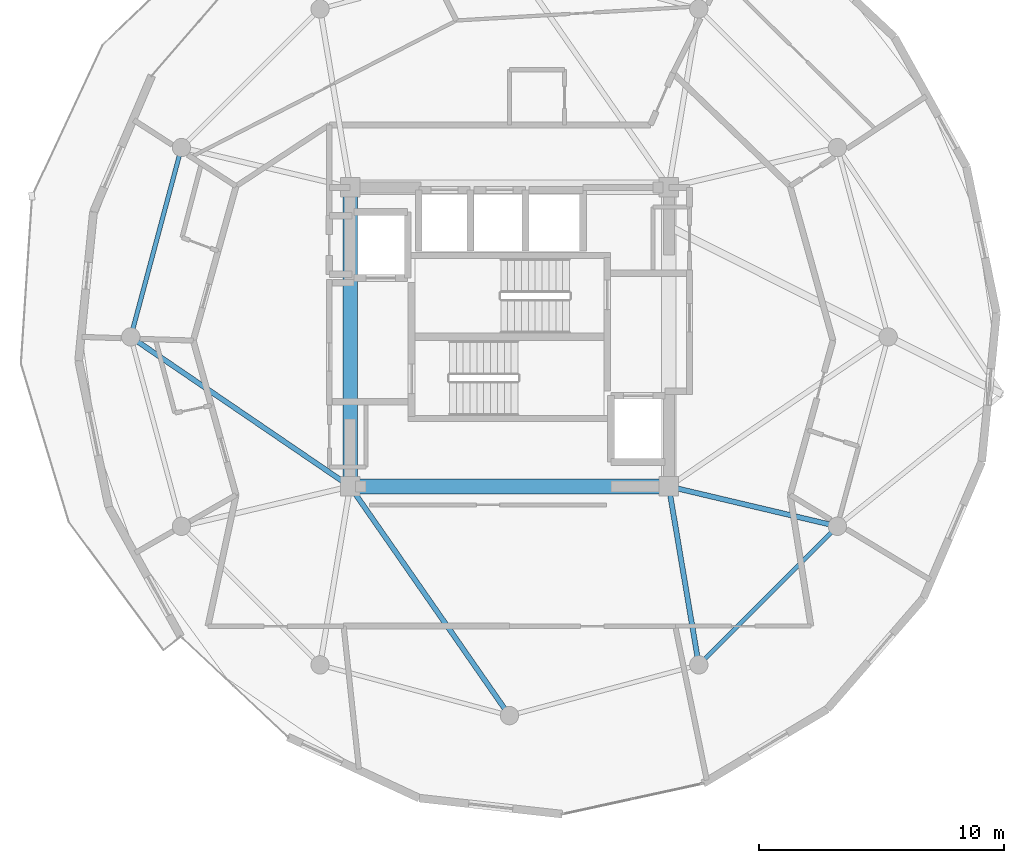
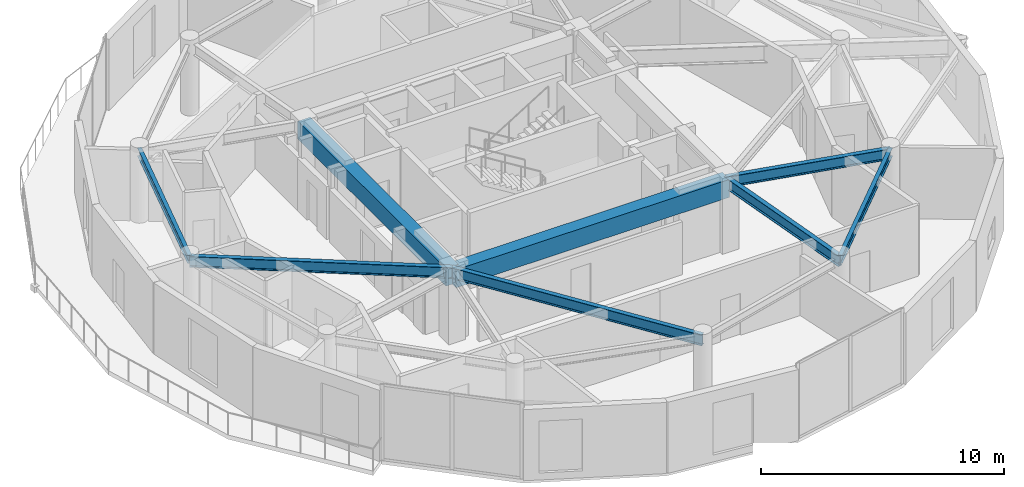
# One storey, part 5 of 15: 8 beams.
"""IFC4 building model written with IfcOpenShell, lengths in metres."""

import ifcopenshell
import ifcopenshell.guid

model = None  # the IFC model being written
_history = None  # IfcOwnerHistory: only IFC2X3 demands one
_inside = {}  # id of a spatial element -> (the spatial element, [elements in it])
_under = {}  # id of a project, library or spatial element -> (it, [spatial elements below it])
_declared = {}  # id of a project -> (the project, [libraries it declares])
_typed = {}  # id of a type object -> (the type object, [elements of that type])
_made_of = {}  # id of a material, layer set ... -> (it, [elements and type objects made of it])


def new_model(schema):
    """Start an empty IFC model of exactly this schema.

    Asked for "IFC4X3", IfcOpenShell would pick the latest addendum, in which some entities
    have other attributes; the version numbers below select the first issue.
    IFC2X3 requires an IfcOwnerHistory on every rooted entity: one is made here for all.
    """
    global model, _history
    if schema == "IFC4X3":
        model = ifcopenshell.file(schema_version=(4, 3, 0, 0))
    else:
        model = ifcopenshell.file(schema=schema)
    _inside.clear()
    _under.clear()
    _declared.clear()
    _typed.clear()
    _made_of.clear()
    _history = None
    if model.schema == "IFC2X3":
        org = make("IfcOrganization", Name="unknown")
        user = make(
            "IfcPersonAndOrganization",
            ThePerson=make("IfcPerson", FamilyName="unknown"),
            TheOrganization=org,
        )
        app = make(
            "IfcApplication",
            ApplicationDeveloper=org,
            Version="unknown",
            ApplicationFullName="unknown",
            ApplicationIdentifier="unknown",
        )
        _history = make(
            "IfcOwnerHistory",
            OwningUser=user,
            OwningApplication=app,
            ChangeAction="ADDED",
            CreationDate=0,
        )
    return model


def make(cls, **values):
    """One entity of the class cls with the attributes given. An attribute that is None is left unset."""
    return model.create_entity(
        cls, **{name: value for name, value in values.items() if value is not None}
    )


def rooted(cls, **values):
    """An entity with a GlobalId (a new one), such as an element, a storey or a relation."""
    return make(cls, GlobalId=ifcopenshell.guid.new(), OwnerHistory=_history, **values)


def si_unit(unit_type, name, prefix=None):
    """IfcSIUnit, for example si_unit("LENGTHUNIT", "METRE", prefix="MILLI")."""
    return make("IfcSIUnit", UnitType=unit_type, Prefix=prefix, Name=name)


def assignment(units):
    """IfcUnitAssignment: the units of a project."""
    return None if units is None else make("IfcUnitAssignment", Units=units)


def point(xyz):
    """IfcCartesianPoint."""
    return None if xyz is None else make("IfcCartesianPoint", Coordinates=xyz)


def direction(xyz):
    """IfcDirection."""
    return None if xyz is None else make("IfcDirection", DirectionRatios=xyz)


def frame(location, z_axis=None, x_axis=None):
    """IfcAxis2Placement3D, a coordinate frame: its origin and axes. An axis left out is left unset."""
    return make(
        "IfcAxis2Placement3D",
        Location=point(location),
        Axis=direction(z_axis),
        RefDirection=direction(x_axis),
    )


def frame_2d(location, x_axis=None):
    """IfcAxis2Placement2D, a coordinate frame in the plane: its origin and x axis."""
    return make(
        "IfcAxis2Placement2D", Location=point(location), RefDirection=direction(x_axis)
    )


def origin():
    """The frame at (0, 0, 0) with its axes left unset."""
    return frame((0.0, 0.0, 0.0))


def origin_2d():
    """The frame at (0, 0) in the plane with its x axis left unset."""
    return frame_2d((0.0, 0.0))


def place(relative_to, where):
    """IfcLocalPlacement: puts the frame where relative to a parent placement (None: the world)."""
    return make(
        "IfcLocalPlacement", PlacementRelTo=relative_to, RelativePlacement=where
    )


def context(
    kind, dimensions, precision=None, world=None, true_north=None, identifier=None
):
    """IfcGeometricRepresentationContext, for example the 3D "Model" context."""
    return make(
        "IfcGeometricRepresentationContext",
        ContextIdentifier=identifier,
        ContextType=kind,
        CoordinateSpaceDimension=dimensions,
        Precision=precision,
        WorldCoordinateSystem=world,
        TrueNorth=true_north,
    )


def subcontext(parent, identifier, kind, view, scale=None):
    """IfcGeometricRepresentationSubContext, for example "Body" below "Model"."""
    return make(
        "IfcGeometricRepresentationSubContext",
        ContextIdentifier=identifier,
        ContextType=kind,
        ParentContext=parent,
        TargetScale=scale,
        TargetView=view,
    )


def project(units=None, contexts=None):
    """IfcProject with its units and contexts."""
    return rooted(
        "IfcProject",
        Name="project",
        RepresentationContexts=contexts,
        UnitsInContext=assignment(units),
    )


def spatial(cls, under=None, at=None, **own):
    """A site, building, storey or space (cls), placed at a placement, below another one or the project."""
    s = rooted(cls, ObjectPlacement=at, **own)
    if under is not None:
        _under.setdefault(under.id(), (under, []))[1].append(s)
    return s


def profile(cls, at=None, kind="AREA", **sizes):
    """A parametric profile (cls). Its sizes go by their IFC names, for example OverallWidth=200.0."""
    return make(cls, ProfileType=kind, Position=at, **sizes)


def rectangle(**sizes):
    """IfcRectangleProfileDef."""
    return profile("IfcRectangleProfileDef", **sizes)


def i_section(**sizes):
    """IfcIShapeProfileDef."""
    return profile("IfcIShapeProfileDef", **sizes)


def extrude(swept, where, along, depth):
    """IfcExtrudedAreaSolid: the profile swept, set in the frame where, extruded along a direction by depth."""
    return make(
        "IfcExtrudedAreaSolid",
        SweptArea=swept,
        Position=where,
        ExtrudedDirection=direction(along),
        Depth=depth,
    )


def shape(context_of_items, identifier, shape_type, items):
    """IfcShapeRepresentation: the items that make up one representation, for example the "Body"."""
    return make(
        "IfcShapeRepresentation",
        ContextOfItems=context_of_items,
        RepresentationIdentifier=identifier,
        RepresentationType=shape_type,
        Items=items,
    )


def material(Name=None, Category=None):
    """IfcMaterial."""
    return make("IfcMaterial", Name=Name, Category=Category)


def material_profile(
    of_material, cross_section, Name=None, Category=None, Priority=None
):
    """IfcMaterialProfile: a cross section and its material."""
    return make(
        "IfcMaterialProfile",
        Name=Name,
        Material=of_material,
        Profile=cross_section,
        Priority=Priority,
        Category=Category,
    )


def profile_set(profiles, Name=None, composite=None):
    """IfcMaterialProfileSet."""
    return make(
        "IfcMaterialProfileSet",
        Name=Name,
        MaterialProfiles=profiles,
        CompositeProfile=composite,
    )


def made_of(thing, what):
    """Note that an element or type object is made of a material, layer set ...; save() writes the relation."""
    if what is not None:
        _made_of.setdefault(what.id(), (what, []))[1].append(thing)
    return thing


def type_object(cls, material=None, **own):
    """A type object (cls), such as IfcWallType, which elements share."""
    return made_of(rooted(cls, **own), material)


def element(
    cls,
    number,
    at=None,
    inside=None,
    cuts=None,
    type_object=None,
    material=None,
    context=None,
    identifier="Body",
    shape_type=None,
    held_by="IfcProductDefinitionShape",
    body=None,
    shapes=None,
    **own,
):
    """One element of the class cls, such as IfcWall. Its Tag is "e" and its number.

    at: its placement. inside: the storey or other place that contains it. cuts: it is an
    opening in that element (IfcRelVoidsElement). A single representation is given by context,
    identifier, shape_type and body (its items); several are given by shapes. held_by: the class
    of the entity that holds the representations. save() writes the other relations.
    """
    e = rooted(cls, Tag="e%d" % number, ObjectPlacement=at, **own)
    if body is not None:
        shapes = [shape(context, identifier, shape_type, body)]
    if shapes is not None:
        e.Representation = make(held_by, Representations=shapes)
    if inside is not None:
        _inside.setdefault(inside.id(), (inside, []))[1].append(e)
    if cuts is not None:
        rooted(
            "IfcRelVoidsElement", RelatingBuildingElement=cuts, RelatedOpeningElement=e
        )
    if type_object is not None:
        _typed.setdefault(type_object.id(), (type_object, []))[1].append(e)
    return made_of(e, material)


def aggregate(whole, parts):
    """IfcRelAggregates: a whole, such as a stair, and the parts it consists of."""
    return rooted("IfcRelAggregates", RelatingObject=whole, RelatedObjects=parts)


def save(model, path):
    """Write the relations noted so far, then the file.

    IfcRelAggregates (storeys below a building ...), IfcRelContainedInSpatialStructure (elements
    in a storey), IfcRelDefinesByType, IfcRelAssociatesMaterial and IfcRelDeclares: one each for
    every whole, place, type object, material and project.
    """
    for whole, parts in _under.values():
        aggregate(whole, parts)
    for where, things in _inside.values():
        rooted(
            "IfcRelContainedInSpatialStructure",
            RelatedElements=things,
            RelatingStructure=where,
        )
    for kind, things in _typed.values():
        rooted("IfcRelDefinesByType", RelatedObjects=things, RelatingType=kind)
    for what, things in _made_of.values():
        rooted("IfcRelAssociatesMaterial", RelatedObjects=things, RelatingMaterial=what)
    for by, libraries in _declared.values():
        rooted("IfcRelDeclares", RelatingContext=by, RelatedDefinitions=libraries)
    model.write(path)


model = new_model("IFC4")

# Units and contexts
model_context = context("Model", 3, precision=1e-05, world=origin(), true_north=direction((0.0, 1.0)))
body_context = subcontext(model_context, "Body", "Model", "MODEL_VIEW")
ifc_project = project(units=[si_unit("LENGTHUNIT", "METRE"), si_unit("AREAUNIT", "SQUARE_METRE"), si_unit("VOLUMEUNIT", "CUBIC_METRE"), si_unit("PLANEANGLEUNIT", "RADIAN"), si_unit("MASSUNIT", "GRAM", prefix="KILO")], contexts=[model_context])

# Site, building, storey
site_placement = place(None, origin())
site = spatial("IfcSite", under=ifc_project, at=site_placement, CompositionType="ELEMENT")
building_placement = place(site_placement, origin())
building = spatial("IfcBuilding", under=site, at=building_placement, Name="Solvirekh Grand Hotel", CompositionType="ELEMENT")
storey_placement = place(building_placement, frame((0.0, 0.0, 270.60009765625)))
storey = spatial("IfcBuildingStorey", under=building, at=storey_placement, Name="L70", CompositionType="ELEMENT", Elevation=270.60009765625)

# Beams
ifc_material_1 = material(Name="Concrete C50/60", Category="concrete")
ifc_material_profile_1 = material_profile(ifc_material_1, rectangle(XDim=0.60009765625, YDim=0.89990234375, at=origin_2d()), Name="RC BEAM 600X900")
ifc_profile_set_1 = profile_set([ifc_material_profile_1], Name="Concrete C50/60")
beam_type_1 = type_object("IfcBeamType", Name="Beam_Core_RC900", PredefinedType="BEAM", material=ifc_profile_set_1)
beam_1_placement = place(storey_placement, frame((-6.5, -6.10009765625, 3.119873046875), z_axis=(1.0, 0.0, 0.0), x_axis=(0.0, 1.0, 0.0)))
element("IfcBeam", 1, at=beam_1_placement, inside=storey, type_object=beam_type_1, Name="L70 core coupling ring beam 1", PredefinedType="BEAM", context=body_context, shape_type="SweptSolid", body=[
    extrude(rectangle(XDim=0.60009765625, YDim=0.89990234375, at=origin_2d()), origin(), (0.0, 0.0, 1.0), 13.0),
])
beam_2_placement = place(storey_placement, frame((-6.5, 6.10009765625, 3.119873046875), z_axis=(0.0, -1.0, 0.0), x_axis=(1.0, 0.0, 0.0)))
element("IfcBeam", 2, at=beam_2_placement, inside=storey, type_object=beam_type_1, Name="L70 core coupling ring beam 4", PredefinedType="BEAM", context=body_context, shape_type="SweptSolid", body=[
    extrude(rectangle(XDim=0.60009765625, YDim=0.89990234375, at=origin_2d()), origin(), (0.0, 0.0, 1.0), 12.2001953125),
])
ifc_material_2 = material(Name="Steel S355", Category="steel")
ifc_material_profile_2 = material_profile(ifc_material_2, i_section(OverallWidth=0.2119140625, OverallDepth=0.5439453125, WebThickness=0.011962890625, FlangeThickness=0.01904296875, FilletRadius=0.013916015625, at=origin_2d()), Name="W530X123")
ifc_profile_set_2 = profile_set([ifc_material_profile_2], Name="Steel S355")
beam_type_2 = type_object("IfcBeamType", Name="Beam_Radial_W530H", PredefinedType="BEAM", material=ifc_profile_set_2)
beam_3_placement = place(storey_placement, frame((-6.5, -6.10009765625, 3.2978515625), z_axis=(-0.826319370306, 0.563201827285, 0.0), x_axis=(-0.563201827285, -0.826319370306, 0.0)))
element("IfcBeam", 3, at=beam_3_placement, inside=storey, type_object=beam_type_2, Name="L70 radial floor beam R07", PredefinedType="BEAM", context=body_context, shape_type="SweptSolid", body=[
    extrude(i_section(OverallWidth=0.2119140625, OverallDepth=0.5439453125, WebThickness=0.011962890625, FlangeThickness=0.01904296875, FilletRadius=0.013916015625, at=origin_2d()), origin(), (0.0, 0.0, 1.0), 10.8310546875),
])
beam_4_placement = place(storey_placement, frame((-6.5, -6.10009765625, 3.2978515625), z_axis=(0.570813192472, -0.821079959139, 0.0), x_axis=(0.821079959139, 0.570813192472, 0.0)))
element("IfcBeam", 4, at=beam_4_placement, inside=storey, type_object=beam_type_2, Name="L70 radial floor beam R10", PredefinedType="BEAM", context=body_context, shape_type="SweptSolid", body=[
    extrude(i_section(OverallWidth=0.2119140625, OverallDepth=0.5439453125, WebThickness=0.011962890625, FlangeThickness=0.01904296875, FilletRadius=0.013916015625, at=origin_2d()), origin(), (0.0, 0.0, 1.0), 11.38720703125),
])
beam_5_placement = place(storey_placement, frame((6.5, -6.10009765625, 3.2978515625), z_axis=(0.165954049106, -0.986133486697, 0.0), x_axis=(0.986133486697, 0.165954049106, 0.0)))
element("IfcBeam", 5, at=beam_5_placement, inside=storey, type_object=beam_type_2, Name="L70 radial floor beam R11", PredefinedType="BEAM", context=body_context, shape_type="SweptSolid", body=[
    extrude(i_section(OverallWidth=0.2119140625, OverallDepth=0.5439453125, WebThickness=0.011962890625, FlangeThickness=0.01904296875, FilletRadius=0.013916015625, at=origin_2d()), origin(), (0.0, 0.0, 1.0), 7.382080078125),
])
beam_6_placement = place(storey_placement, frame((6.5, -6.10009765625, 3.2978515625), z_axis=(0.973221147544, -0.229870828888, 0.0), x_axis=(0.229870828888, 0.973221147544, 0.0)))
element("IfcBeam", 6, at=beam_6_placement, inside=storey, type_object=beam_type_2, Name="L70 radial floor beam R12", PredefinedType="BEAM", context=body_context, shape_type="SweptSolid", body=[
    extrude(i_section(OverallWidth=0.2119140625, OverallDepth=0.5439453125, WebThickness=0.011962890625, FlangeThickness=0.01904296875, FilletRadius=0.013916015625, at=origin_2d()), origin(), (0.0, 0.0, 1.0), 7.069091796875),
])
ifc_material_profile_3 = material_profile(ifc_material_2, i_section(OverallWidth=0.180908203125, OverallDepth=0.4169921875, WebThickness=0.010009765625, FlangeThickness=0.01611328125, FilletRadius=0.011962890625, at=origin_2d()), Name="W410X85")
ifc_profile_set_3 = profile_set([ifc_material_profile_3], Name="Steel S355")
beam_type_3 = type_object("IfcBeamType", Name="Spandrel_Ring_W410", PredefinedType="SPANDREL", material=ifc_profile_set_3)
beam_7_placement = place(storey_placement, frame((-13.3798828125, 7.72509765625, 3.36181640625), z_axis=(-0.258834757072, -0.965921616143, 0.0), x_axis=(0.965921616143, -0.258834757072, 0.0)))
element("IfcBeam", 7, at=beam_7_placement, inside=storey, type_object=beam_type_3, Name="L70 perimeter spandrel beam 6", PredefinedType="SPANDREL", context=body_context, shape_type="SweptSolid", body=[
    extrude(i_section(OverallWidth=0.180908203125, OverallDepth=0.4169921875, WebThickness=0.010009765625, FlangeThickness=0.01611328125, FilletRadius=0.011962890625, at=origin_2d()), origin(), (0.0, 0.0, 1.0), 7.99755859375),
])
beam_8_placement = place(storey_placement, frame((7.72509765625, -13.3798828125, 3.36181640625), z_axis=(0.707106781187, 0.707106781187, 0.0), x_axis=(-0.707106781187, 0.707106781187, 0.0)))
element("IfcBeam", 8, at=beam_8_placement, inside=storey, type_object=beam_type_3, Name="L70 perimeter spandrel beam 11", PredefinedType="SPANDREL", context=body_context, shape_type="SweptSolid", body=[
    extrude(i_section(OverallWidth=0.180908203125, OverallDepth=0.4169921875, WebThickness=0.010009765625, FlangeThickness=0.01611328125, FilletRadius=0.011962890625, at=origin_2d()), origin(), (0.0, 0.0, 1.0), 7.9970703125),
])

save(model, "model.ifc")
